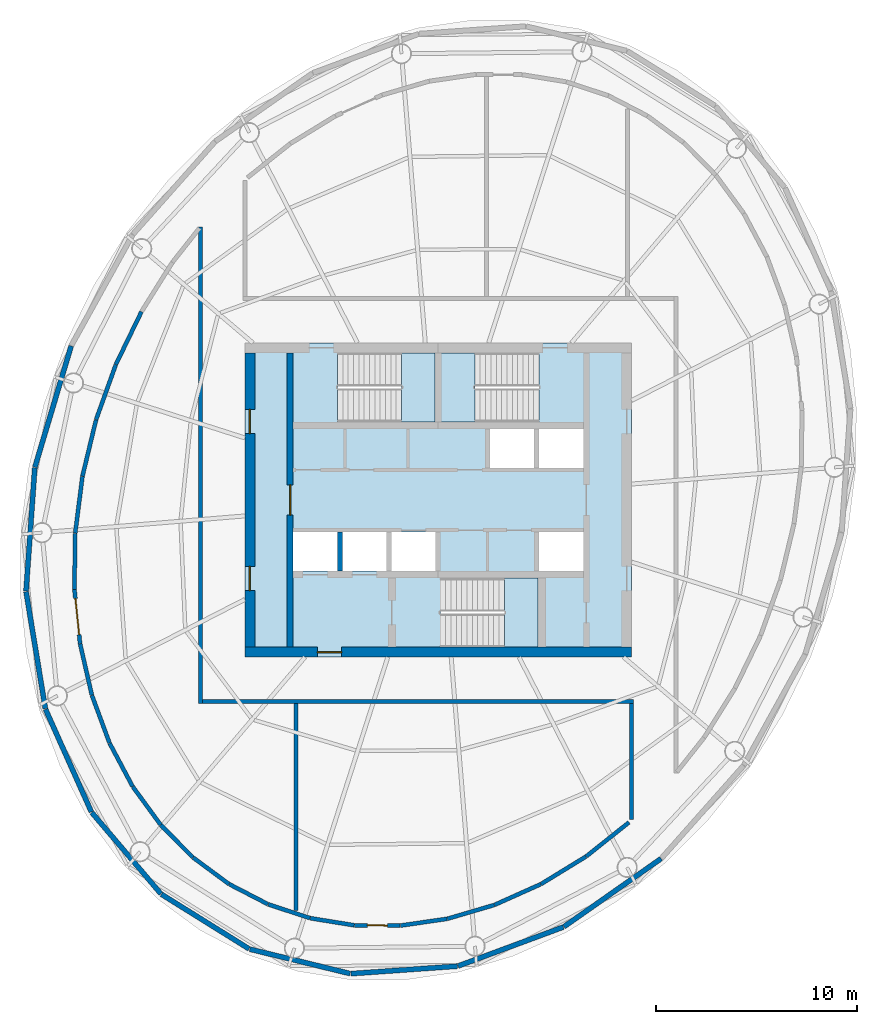
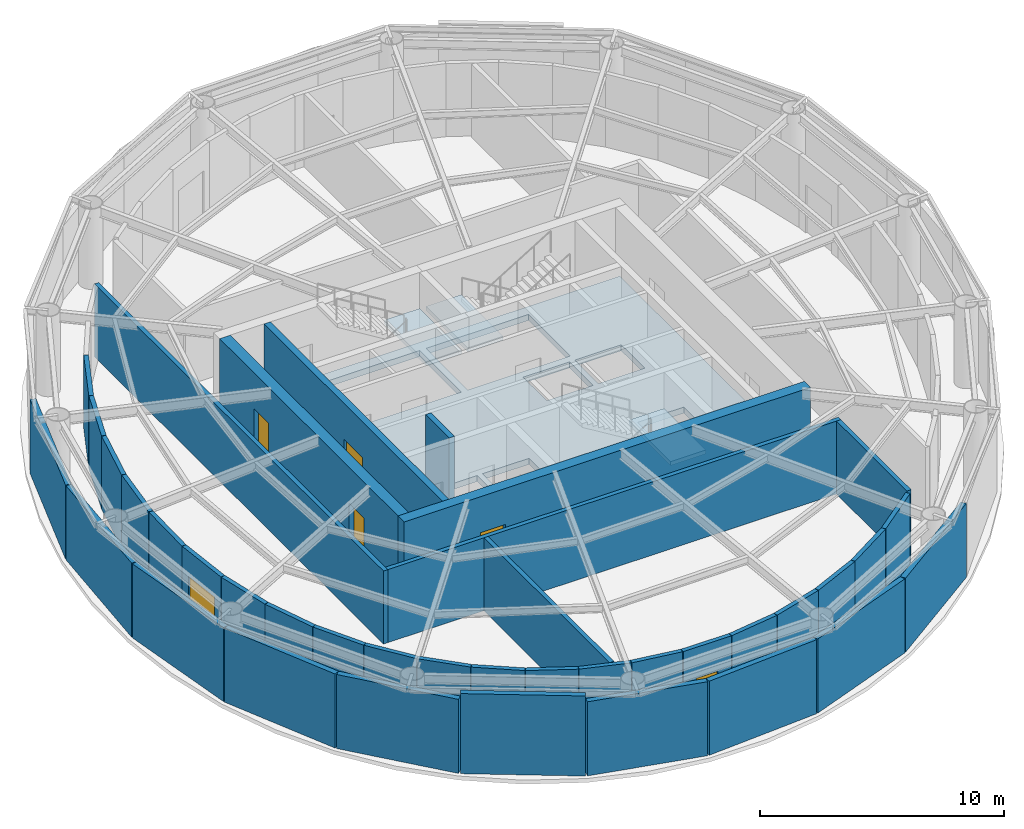
# One storey, part 3 of 6: 39 walls, 6 doors, 4 slabs, 6 openings, 3 elements without a shape of their own.
"""IFC4 building model written with IfcOpenShell, lengths in metres."""

from ifc_helpers import new_model, si_unit, direction, frame, frame_2d, origin, place, context, subcontext, project, spatial, polyline, rectangle, outline, extrude, material, layer, layer_set, type_object, element, fill, aggregate, save


model = new_model("IFC4")

# Units and contexts
model_context = context("Model", 3, precision=1e-05, world=origin(), true_north=direction((0.0, 1.0)))
body_context = subcontext(model_context, "Body", "Model", "MODEL_VIEW")
ifc_project = project(units=[si_unit("LENGTHUNIT", "METRE"), si_unit("AREAUNIT", "SQUARE_METRE"), si_unit("VOLUMEUNIT", "CUBIC_METRE"), si_unit("PLANEANGLEUNIT", "RADIAN"), si_unit("MASSUNIT", "GRAM", prefix="KILO")], contexts=[model_context])

# Site, building, storey
site_placement = place(None, origin())
site = spatial("IfcSite", under=ifc_project, at=site_placement, CompositionType="ELEMENT")
building_placement = place(site_placement, origin())
building = spatial("IfcBuilding", under=site, at=building_placement, Name="Vermilion Reach Broadcast Tower", CompositionType="ELEMENT")
storey_placement = place(building_placement, frame((0.0, 0.0, 304.5)))
storey = spatial("IfcBuildingStorey", under=building, at=storey_placement, Name="L76 CROWN", CompositionType="ELEMENT", Elevation=304.5)

# Slab
ifc_material_1 = material(Name="Concrete C40", Category="concrete")
ifc_layer_1 = layer(ifc_material_1, 0.300048828125)
ifc_layer_set_1 = layer_set([ifc_layer_1], Name="Core floor slab 300 mm Concrete C40")
slab_type_1 = type_object("IfcSlabType", Name="Core floor slab 300 mm Concrete C40", PredefinedType="FLOOR", material=ifc_layer_set_1)
slab_1_placement = place(storey_placement, frame((0.0, 0.0, -0.300048828125)))
element("IfcSlab", 1, at=slab_1_placement, inside=storey, type_object=slab_type_1, Name="L76 CROWN core floor", PredefinedType="FLOOR", context=body_context, shape_type="SweptSolid", body=[
    extrude(outline(polyline([(-15.60009765625, -7.800048828125), (3.60009765625, -7.800048828125), (3.60009765625, 7.800048828125), (-15.60009765625, 7.800048828125), (-15.60009765625, -7.800048828125)]), holes=[polyline([(-3.433349609375, 1.60009765625), (-1.24169921875, 1.60009765625), (-1.24169921875, 3.530029296875), (-3.433349609375, 3.530029296875), (-3.433349609375, 1.60009765625)]), polyline([(-0.99169921875, 1.60009765625), (1.199951171875, 1.60009765625), (1.199951171875, 3.530029296875), (-0.99169921875, 3.530029296875), (-0.99169921875, 1.60009765625)]), polyline([(-13.199951171875, -3.530029296875), (-11.00830078125, -3.530029296875), (-11.00830078125, -1.60009765625), (-13.199951171875, -1.60009765625), (-13.199951171875, -3.530029296875)]), polyline([(-10.75830078125, -3.530029296875), (-8.566650390625, -3.530029296875), (-8.566650390625, -1.60009765625), (-10.75830078125, -1.60009765625), (-10.75830078125, -3.530029296875)]), polyline([(-8.316650390625, -3.530029296875), (-6.125, -3.530029296875), (-6.125, -1.60009765625), (-8.316650390625, -1.60009765625), (-8.316650390625, -3.530029296875)]), polyline([(-0.99169921875, -3.530029296875), (1.199951171875, -3.530029296875), (1.199951171875, -1.60009765625), (-0.99169921875, -1.60009765625), (-0.99169921875, -3.530029296875)]), polyline([(-10.999267578125, 3.8798828125), (-6.14990234375, 3.8798828125), (-6.14990234375, 7.300048828125), (-10.999267578125, 7.300048828125), (-10.999267578125, 3.8798828125)]), polyline([(-1.000732421875, 7.300048828125), (-5.85009765625, 7.300048828125), (-5.85009765625, 3.8798828125), (-1.000732421875, 3.8798828125), (-1.000732421875, 7.300048828125)]), polyline([(-5.8994140625, -7.300048828125), (-1.050048828125, -7.300048828125), (-1.050048828125, -3.8798828125), (-5.8994140625, -3.8798828125), (-5.8994140625, -7.300048828125)])]), origin(), (0.0, 0.0, 1.0), 0.300048828125),
])

# Stair, slab
ifc_material_2 = material(Name="Concrete C40", Category="concrete")
stair_type = type_object("IfcStairType", Name="Exit stair RC 26 risers 162 mm", PredefinedType="HALF_TURN_STAIR", material=ifc_material_2)
placement_1 = place(storey_placement, origin())
stair_1 = element("IfcStair", 2, at=placement_1, inside=storey, type_object=stair_type, Name="L76 CROWN Exit stair ST1", PredefinedType="HALF_TURN_STAIR")
ifc_material_3 = material(Name="Concrete C40", Category="concrete")
ifc_layer_2 = layer(ifc_material_3, 0.199951171875)
ifc_layer_set_2 = layer_set([ifc_layer_2], Name="Exit stair landing Concrete C40")
slab_type_2 = type_object("IfcSlabType", Name="Exit stair landing Concrete C40", PredefinedType="LANDING", material=ifc_layer_set_2)
placement_2 = place(storey_placement, frame((0.0, 0.0, 1.89990234375)))
slab_2 = element("IfcSlab", 3, at=placement_2, type_object=slab_type_2, Name="ST1 landing 1", PredefinedType="LANDING", context=body_context, shape_type="SweptSolid", body=[
    extrude(outline(polyline([(-7.820068359375, 3.8798828125), (-6.14990234375, 3.8798828125), (-6.14990234375, 7.300048828125), (-7.820068359375, 7.300048828125), (-7.820068359375, 3.8798828125)])), origin(), (0.0, 0.0, 1.0), 0.2001953125),
])
aggregate(stair_1, [slab_2])

stair_2 = element("IfcStair", 4, at=placement_1, inside=storey, type_object=stair_type, Name="L76 CROWN Exit stair ST2", PredefinedType="HALF_TURN_STAIR")
slab_3 = element("IfcSlab", 5, at=placement_2, type_object=slab_type_2, Name="ST2 landing 1", PredefinedType="LANDING", context=body_context, shape_type="SweptSolid", body=[
    extrude(outline(polyline([(-4.179931640625, 7.300048828125), (-5.85009765625, 7.300048828125), (-5.85009765625, 3.8798828125), (-4.179931640625, 3.8798828125), (-4.179931640625, 7.300048828125)])), origin(), (0.0, 0.0, 1.0), 0.2001953125),
])
aggregate(stair_2, [slab_3])

stair_3 = element("IfcStair", 6, at=placement_1, inside=storey, type_object=stair_type, Name="L76 CROWN Exit stair ST3", PredefinedType="HALF_TURN_STAIR")
slab_4 = element("IfcSlab", 7, at=placement_2, type_object=slab_type_2, Name="ST3 landing 1", PredefinedType="LANDING", context=body_context, shape_type="SweptSolid", body=[
    extrude(outline(polyline([(-2.719970703125, -7.300048828125), (-1.050048828125, -7.300048828125), (-1.050048828125, -3.8798828125), (-2.719970703125, -3.8798828125), (-2.719970703125, -7.300048828125)])), origin(), (0.0, 0.0, 1.0), 0.2001953125),
])
aggregate(stair_3, [slab_4])

# Wall, opening, door
ifc_material_4 = material(Name="Concrete C50", Category="concrete")
ifc_layer_3 = layer(ifc_material_4, 0.300048828125)
ifc_layer_set_3 = layer_set([ifc_layer_3], Name="Core inner wall 300 mm Concrete C50")
wall_type_1 = type_object("IfcWallType", Name="Core inner wall 300 mm Concrete C50", PredefinedType="SHEAR", material=ifc_layer_set_3)
wall_1_placement = place(storey_placement, frame((-13.35009765625, 7.300048828125, 0.0), z_axis=(0.0, 0.0, 1.0), x_axis=(0.0, -1.0, 0.0)))
wall_1 = element("IfcWall", 8, at=wall_1_placement, inside=storey, type_object=wall_type_1, Name="L76 CROWN core wall ewW", PredefinedType="SHEAR", context=body_context, shape_type="SweptSolid", body=[
    extrude(rectangle(XDim=14.60009765625, YDim=0.300048828125, at=frame_2d((7.300048828125, 0.0))), origin(), (0.0, 0.0, 1.0), 3.89990234375),
])
opening_1_placement = place(wall_1_placement, frame((6.550048828125, 0.0, 0.0)))
opening_1 = element("IfcOpeningElement", 9, at=opening_1_placement, cuts=wall_1, Name="Opening D04", PredefinedType="OPENING", context=body_context, shape_type="SweptSolid", body=[
    extrude(rectangle(XDim=1.5, YDim=2.10009765625, at=frame_2d((0.75, 1.050048828125))), frame((0.0, 0.159912109375, 0.0), z_axis=(0.0, -1.0, 0.0), x_axis=(1.0, 0.0, 0.0)), (0.0, 0.0, 1.0), 0.320068359375),
])
ifc_material_5 = material(Name="Painted steel fire door", Category="steel")
door_type_1 = type_object("IfcDoorType", Name="Lift lobby door 1500 x 2100", OperationType="DOUBLE_DOOR_SINGLE_SWING", PredefinedType="NOTDEFINED", material=ifc_material_5)
door_1_placement = place(opening_1_placement, origin())
door_1 = element("IfcDoor", 10, at=door_1_placement, inside=storey, type_object=door_type_1, Name="L76 CROWN band door BW", OperationType="DOUBLE_DOOR_SINGLE_SWING", OverallHeight=2.10009765625, OverallWidth=1.5, PredefinedType="NOTDEFINED", context=body_context, shape_type="SweptSolid", body=[
    extrude(rectangle(XDim=1.5, YDim=2.10009765625, at=frame_2d((0.75, 1.050048828125))), frame((0.0, 0.02490234375, 0.0), z_axis=(0.0, -1.0, 0.0), x_axis=(1.0, 0.0, 0.0)), (0.0, 0.0, 1.0), 0.050048828125),
])
fill(opening_1, door_1)

ifc_material_6 = material(Name="Concrete C50", Category="concrete")
ifc_layer_4 = layer(ifc_material_6, 0.5)
ifc_layer_set_4 = layer_set([ifc_layer_4], Name="Core outer wall 500 mm Concrete C50")
wall_type_2 = type_object("IfcWallType", Name="Core outer wall 500 mm Concrete C50", PredefinedType="SHEAR", material=ifc_layer_set_4)
wall_2_placement = place(storey_placement, frame((-15.60009765625, -7.550048828125, 0.0), z_axis=(0.0, 0.0, 1.0), x_axis=(1.0, 0.0, 0.0)))
wall_2 = element("IfcWall", 11, at=wall_2_placement, inside=storey, type_object=wall_type_2, Name="L76 CROWN core wall os", PredefinedType="SHEAR", context=body_context, shape_type="SweptSolid", body=[
    extrude(rectangle(XDim=19.2001953125, YDim=0.5, at=frame_2d((9.60009765625, 0.0))), origin(), (0.0, 0.0, 1.0), 3.89990234375),
])
opening_2_placement = place(wall_2_placement, frame((3.60009765625, 0.0, 0.0)))
opening_2 = element("IfcOpeningElement", 12, at=opening_2_placement, cuts=wall_2, Name="Opening D02", PredefinedType="OPENING", context=body_context, shape_type="SweptSolid", body=[
    extrude(rectangle(XDim=1.199951171875, YDim=2.10009765625, at=frame_2d((0.60009765625, 1.050048828125))), frame((0.0, 0.260009765625, 0.0), z_axis=(0.0, -1.0, 0.0), x_axis=(1.0, 0.0, 0.0)), (0.0, 0.0, 1.0), 0.52001953125),
])
ifc_material_7 = material(Name="Painted steel fire door", Category="steel")
door_type_2 = type_object("IfcDoorType", Name="Firefighting lobby door 1200 x 2100", OperationType="DOUBLE_DOOR_SINGLE_SWING", PredefinedType="NOTDEFINED", material=ifc_material_7)
door_2_placement = place(opening_2_placement, origin())
door_2 = element("IfcDoor", 13, at=door_2_placement, inside=storey, type_object=door_type_2, Name="L76 CROWN ffdoor door FFL", OperationType="DOUBLE_DOOR_SINGLE_SWING", OverallHeight=2.10009765625, OverallWidth=1.199951171875, PredefinedType="NOTDEFINED", context=body_context, shape_type="SweptSolid", body=[
    extrude(rectangle(XDim=1.199951171875, YDim=2.10009765625, at=frame_2d((0.60009765625, 1.050048828125))), frame((0.0, 0.02490234375, 0.0), z_axis=(0.0, -1.0, 0.0), x_axis=(1.0, 0.0, 0.0)), (0.0, 0.0, 1.0), 0.050048828125),
])
fill(opening_2, door_2)

# Wall, openings, doors
wall_3_placement = place(storey_placement, frame((-15.35009765625, 7.300048828125, 0.0), z_axis=(0.0, 0.0, 1.0), x_axis=(0.0, -1.0, 0.0)))
wall_3 = element("IfcWall", 14, at=wall_3_placement, inside=storey, type_object=wall_type_2, Name="L76 CROWN core wall ow", PredefinedType="SHEAR", context=body_context, shape_type="SweptSolid", body=[
    extrude(rectangle(XDim=14.60009765625, YDim=0.5, at=frame_2d((7.300048828125, 0.0))), origin(), (0.0, 0.0, 1.0), 3.89990234375),
])
opening_3_placement = place(wall_3_placement, frame((10.60009765625, 0.0, 0.0)))
opening_3 = element("IfcOpeningElement", 15, at=opening_3_placement, cuts=wall_3, Name="Opening D03", PredefinedType="OPENING", context=body_context, shape_type="SweptSolid", body=[
    extrude(rectangle(XDim=1.199951171875, YDim=2.10009765625, at=frame_2d((0.60009765625, 1.050048828125))), frame((0.0, 0.260009765625, 0.0), z_axis=(0.0, -1.0, 0.0), x_axis=(1.0, 0.0, 0.0)), (0.0, 0.0, 1.0), 0.52001953125),
])
opening_4_placement = place(wall_3_placement, frame((2.800048828125, 0.0, 0.0)))
opening_4 = element("IfcOpeningElement", 16, at=opening_4_placement, cuts=wall_3, Name="Opening D03", PredefinedType="OPENING", context=body_context, shape_type="SweptSolid", body=[
    extrude(rectangle(XDim=1.199951171875, YDim=2.10009765625, at=frame_2d((0.60009765625, 1.050048828125))), frame((0.0, 0.260009765625, 0.0), z_axis=(0.0, -1.0, 0.0), x_axis=(1.0, 0.0, 0.0)), (0.0, 0.0, 1.0), 0.52001953125),
])
ifc_material_8 = material(Name="Painted steel fire door", Category="steel")
door_type_3 = type_object("IfcDoorType", Name="Core lobby door 1200 x 2100", OperationType="DOUBLE_DOOR_SINGLE_SWING", PredefinedType="NOTDEFINED", material=ifc_material_8)
door_3_placement = place(opening_3_placement, origin())
door_3 = element("IfcDoor", 17, at=door_3_placement, inside=storey, type_object=door_type_3, Name="L76 CROWN slot door W0", OperationType="DOUBLE_DOOR_SINGLE_SWING", OverallHeight=2.10009765625, OverallWidth=1.199951171875, PredefinedType="NOTDEFINED", context=body_context, shape_type="SweptSolid", body=[
    extrude(rectangle(XDim=1.199951171875, YDim=2.10009765625, at=frame_2d((0.60009765625, 1.050048828125))), frame((0.0, 0.02490234375, 0.0), z_axis=(0.0, -1.0, 0.0), x_axis=(1.0, 0.0, 0.0)), (0.0, 0.0, 1.0), 0.050048828125),
])
fill(opening_3, door_3)
door_4_placement = place(opening_4_placement, origin())
door_4 = element("IfcDoor", 18, at=door_4_placement, inside=storey, type_object=door_type_3, Name="L76 CROWN slot door W1", OperationType="DOUBLE_DOOR_SINGLE_SWING", OverallHeight=2.10009765625, OverallWidth=1.199951171875, PredefinedType="NOTDEFINED", context=body_context, shape_type="SweptSolid", body=[
    extrude(rectangle(XDim=1.199951171875, YDim=2.10009765625, at=frame_2d((0.60009765625, 1.050048828125))), frame((0.0, 0.02490234375, 0.0), z_axis=(0.0, -1.0, 0.0), x_axis=(1.0, 0.0, 0.0)), (0.0, 0.0, 1.0), 0.050048828125),
])
fill(opening_4, door_4)

# Walls
ifc_material_9 = material(Name="Concrete C50", Category="concrete")
ifc_layer_5 = layer(ifc_material_9, 0.25)
ifc_layer_set_5 = layer_set([ifc_layer_5], Name="Core shaft wall 250 mm Concrete C50")
wall_type_3 = type_object("IfcWallType", Name="Core shaft wall 250 mm Concrete C50", PredefinedType="SHEAR", material=ifc_layer_set_5)
wall_4_placement = place(storey_placement, frame((-10.88330078125, -1.60009765625, 0.0), z_axis=(0.0, 0.0, 1.0), x_axis=(0.0, -1.0, 0.0)))
element("IfcWall", 19, at=wall_4_placement, inside=storey, type_object=wall_type_3, Name="L76 CROWN core wall psS0", PredefinedType="SHEAR", context=body_context, shape_type="SweptSolid", body=[
    extrude(rectangle(XDim=1.929931640625, YDim=0.25, at=frame_2d((0.96484375, 0.0))), origin(), (0.0, 0.0, 1.0), 3.89990234375),
])
ifc_material_10 = material(Name="Anodised aluminium louvre cladding", Category="aluminium")
ifc_layer_6 = layer(ifc_material_10, 0.25)
ifc_layer_set_6 = layer_set([ifc_layer_6], Name="Plant louvre wall 250")
wall_type_4 = type_object("IfcWallType", Name="Plant louvre wall 250", PredefinedType="SOLIDWALL", material=ifc_layer_set_6)
wall_5_placement = place(storey_placement, frame((-19.736572265625, -19.56982421875, 0.0), z_axis=(0.0, 0.0, 1.0), x_axis=(0.84872546146, -0.528833708333, 0.0)))
element("IfcWall", 20, at=wall_5_placement, inside=storey, type_object=wall_type_4, Name="Louvre wall L76 CROWN 12", PredefinedType="SOLIDWALL", context=body_context, shape_type="SweptSolid", body=[
    extrude(rectangle(XDim=5.124755859375, YDim=0.25, at=frame_2d((2.5625, 0.0))), origin(), (0.0, 0.0, 1.0), 4.0),
])
ifc_material_11 = material(Name="Anodised aluminium louvre cladding", Category="aluminium")
ifc_layer_7 = layer(ifc_material_11, 0.25)
ifc_layer_set_7 = layer_set([ifc_layer_7], Name="Plant louvre wall 250, head 300 below soffit")
wall_type_5 = type_object("IfcWallType", Name="Plant louvre wall 250, head 300 below soffit", PredefinedType="SOLIDWALL", material=ifc_layer_set_7)
wall_6_placement = place(storey_placement, frame((-24.2197265625, 7.64453125, 0.0), z_axis=(0.0, 0.0, 1.0), x_axis=(-0.286431283473, -0.958100787938, 0.0)))
element("IfcWall", 21, at=wall_6_placement, inside=storey, type_object=wall_type_5, Name="Louvre wall L76 CROWN 07", PredefinedType="SOLIDWALL", context=body_context, shape_type="SweptSolid", body=[
    extrude(rectangle(XDim=6.281005859375, YDim=0.25, at=frame_2d((3.140625, 0.0))), origin(), (0.0, 0.0, 1.0), 3.699951171875),
])
wall_7_placement = place(storey_placement, frame((-26.023681640625, 1.60009765625, 0.0), z_axis=(0.0, 0.0, 1.0), x_axis=(-0.07066487406, -0.99750011307, 0.0)))
element("IfcWall", 22, at=wall_7_placement, inside=storey, type_object=wall_type_5, Name="Louvre wall L76 CROWN 08", PredefinedType="SOLIDWALL", context=body_context, shape_type="SweptSolid", body=[
    extrude(rectangle(XDim=6.139404296875, YDim=0.25, at=frame_2d((3.06982421875, 0.0))), origin(), (0.0, 0.0, 1.0), 3.699951171875),
])
wall_8_placement = place(storey_placement, frame((-26.4560546875, -4.552734375, 0.0), z_axis=(0.0, 0.0, 1.0), x_axis=(0.162616041589, -0.986689425816, 0.0)))
element("IfcWall", 23, at=wall_8_placement, inside=storey, type_object=wall_type_5, Name="Louvre wall L76 CROWN 09", PredefinedType="SOLIDWALL", context=body_context, shape_type="SweptSolid", body=[
    extrude(rectangle(XDim=5.88525390625, YDim=0.25, at=frame_2d((2.942626953125, 0.0))), origin(), (0.0, 0.0, 1.0), 3.699951171875),
])
wall_9_placement = place(storey_placement, frame((-25.489990234375, -10.389892578125, 0.0), z_axis=(0.0, 0.0, 1.0), x_axis=(0.407989751163, -0.912986507538, 0.0)))
element("IfcWall", 24, at=wall_9_placement, inside=storey, type_object=wall_type_5, Name="Louvre wall L76 CROWN 10", PredefinedType="SOLIDWALL", context=body_context, shape_type="SweptSolid", body=[
    extrude(rectangle(XDim=5.5771484375, YDim=0.25, at=frame_2d((2.78857421875, 0.0))), origin(), (0.0, 0.0, 1.0), 3.699951171875),
])
wall_10_placement = place(storey_placement, frame((-23.196044921875, -15.511474609375, 0.0), z_axis=(0.0, 0.0, 1.0), x_axis=(0.647893308308, -0.761731094973, 0.0)))
element("IfcWall", 25, at=wall_10_placement, inside=storey, type_object=wall_type_5, Name="Louvre wall L76 CROWN 11", PredefinedType="SOLIDWALL", context=body_context, shape_type="SweptSolid", body=[
    extrude(rectangle(XDim=5.295166015625, YDim=0.25, at=frame_2d((2.6474609375, 0.0))), origin(), (0.0, 0.0, 1.0), 3.699951171875),
])
wall_11_placement = place(storey_placement, frame((-15.350830078125, -22.29541015625, 0.0), z_axis=(0.0, 0.0, 1.0), x_axis=(0.971672333914, -0.236332129654, 0.0)))
element("IfcWall", 26, at=wall_11_placement, inside=storey, type_object=wall_type_5, Name="Louvre wall L76 CROWN 13", PredefinedType="SOLIDWALL", context=body_context, shape_type="SweptSolid", body=[
    extrude(rectangle(XDim=5.125, YDim=0.25, at=frame_2d((2.5625, 0.0))), origin(), (0.0, 0.0, 1.0), 3.699951171875),
])
wall_12_placement = place(storey_placement, frame((-10.333251953125, -23.509765625, 0.0), z_axis=(0.0, 0.0, 1.0), x_axis=(0.997541335578, 0.070080552324, 0.0)))
element("IfcWall", 27, at=wall_12_placement, inside=storey, type_object=wall_type_5, Name="Louvre wall L76 CROWN 14", PredefinedType="SOLIDWALL", context=body_context, shape_type="SweptSolid", body=[
    extrude(rectangle(XDim=5.295166015625, YDim=0.25, at=frame_2d((2.6474609375, 0.0))), origin(), (0.0, 0.0, 1.0), 3.699951171875),
])
wall_13_placement = place(storey_placement, frame((-5.016845703125, -23.13134765625, 0.0), z_axis=(0.0, 0.0, 1.0), x_axis=(0.937764073403, 0.34727300879, 0.0)))
element("IfcWall", 28, at=wall_13_placement, inside=storey, type_object=wall_type_5, Name="Louvre wall L76 CROWN 15", PredefinedType="SOLIDWALL", context=body_context, shape_type="SweptSolid", body=[
    extrude(rectangle(XDim=5.5771484375, YDim=0.25, at=frame_2d((2.78857421875, 0.0))), origin(), (0.0, 0.0, 1.0), 3.699951171875),
])
wall_14_placement = place(storey_placement, frame((0.2412109375, -21.1796875, 0.0), z_axis=(0.0, 0.0, 1.0), x_axis=(0.818761962214, 0.574133128492, 0.0)))
element("IfcWall", 29, at=wall_14_placement, inside=storey, type_object=wall_type_5, Name="Louvre wall L76 CROWN 16", PredefinedType="SOLIDWALL", context=body_context, shape_type="SweptSolid", body=[
    extrude(rectangle(XDim=5.88525390625, YDim=0.25, at=frame_2d((2.942626953125, 0.0))), origin(), (0.0, 0.0, 1.0), 3.699951171875),
])
ifc_material_12 = material(Name="Gypsum board shaft wall")
ifc_layer_8 = layer(ifc_material_12, 0.199951171875)
ifc_layer_set_8 = layer_set([ifc_layer_8], Name="Plant room wall 200")
wall_type_6 = type_object("IfcWallType", Name="Plant room wall 200", PredefinedType="PARTITIONING", material=ifc_layer_set_8)
wall_15_placement = place(storey_placement, frame((-17.800048828125, -10.10009765625, 0.0), z_axis=(0.0, 0.0, 1.0), x_axis=(0.0, 1.0, 0.0)))
element("IfcWall", 30, at=wall_15_placement, inside=storey, type_object=wall_type_6, Name="sp.wall.L76 CROWN.002", PredefinedType="PARTITIONING", context=body_context, shape_type="SweptSolid", body=[
    extrude(rectangle(XDim=23.65771484375, YDim=0.199951171875, at=frame_2d((11.828857421875, 0.0))), origin(), (0.0, 0.0, 1.0), 3.64990234375),
])
wall_16_placement = place(storey_placement, frame((-17.699951171875, -10.0, 0.0), z_axis=(0.0, 0.0, 1.0), x_axis=(1.0, 0.0, 0.0)))
element("IfcWall", 31, at=wall_16_placement, inside=storey, type_object=wall_type_6, Name="sp.wall.L76 CROWN.003", PredefinedType="PARTITIONING", context=body_context, shape_type="SweptSolid", body=[
    extrude(rectangle(XDim=21.400146484375, YDim=0.199951171875, at=frame_2d((10.7001953125, 0.0))), origin(), (0.0, 0.0, 1.0), 3.64990234375),
])
wall_17_placement = place(storey_placement, frame((3.60009765625, -15.867431640625, 0.0), z_axis=(0.0, 0.0, 1.0), x_axis=(0.0, 1.0, 0.0)))
element("IfcWall", 32, at=wall_17_placement, inside=storey, type_object=wall_type_6, Name="sp.wall.L76 CROWN.005", PredefinedType="PARTITIONING", context=body_context, shape_type="SweptSolid", body=[
    extrude(rectangle(XDim=5.767333984375, YDim=0.199951171875, at=frame_2d((2.8837890625, 0.0))), origin(), (0.0, 0.0, 1.0), 3.64990234375),
])
wall_18_placement = place(storey_placement, frame((-13.056396484375, -20.38671875, 0.0), z_axis=(0.0, 0.0, 1.0), x_axis=(0.0, 1.0, 0.0)))
element("IfcWall", 33, at=wall_18_placement, inside=storey, type_object=wall_type_6, Name="sp.wall.L76 CROWN.031", PredefinedType="PARTITIONING", context=body_context, shape_type="SweptSolid", body=[
    extrude(rectangle(XDim=10.28662109375, YDim=0.199951171875, at=frame_2d((5.143310546875, 0.0))), origin(), (0.0, 0.0, 1.0), 3.64990234375),
])
wall_19_placement = place(storey_placement, frame((-16.373291015625, -19.067626953125, 0.0), z_axis=(0.0, 0.0, 1.0), x_axis=(0.888068415533, -0.45971131086, 0.0)))
element("IfcWall", 34, at=wall_19_placement, inside=storey, type_object=wall_type_6, Name="sp.wall.L76 CROWN.032", PredefinedType="PARTITIONING", context=body_context, shape_type="SweptSolid", body=[
    extrude(rectangle(XDim=2.16455078125, YDim=0.199951171875, at=frame_2d((1.082275390625, 0.0))), origin(), (0.0, 0.0, 1.0), 3.64990234375),
])
wall_20_placement = place(storey_placement, frame((-18.164794921875, -17.747802734375, 0.0), z_axis=(0.0, 0.0, 1.0), x_axis=(0.80443326696, -0.594043027909, 0.0)))
element("IfcWall", 35, at=wall_20_placement, inside=storey, type_object=wall_type_6, Name="sp.wall.L76 CROWN.033", PredefinedType="PARTITIONING", context=body_context, shape_type="SweptSolid", body=[
    extrude(rectangle(XDim=2.20947265625, YDim=0.199951171875, at=frame_2d((1.104736328125, 0.0))), origin(), (0.0, 0.0, 1.0), 3.64990234375),
])
wall_21_placement = place(storey_placement, frame((-19.76953125, -16.12939453125, 0.0), z_axis=(0.0, 0.0, 1.0), x_axis=(0.703376280453, -0.710817703843, 0.0)))
element("IfcWall", 36, at=wall_21_placement, inside=storey, type_object=wall_type_6, Name="sp.wall.L76 CROWN.034", PredefinedType="PARTITIONING", context=body_context, shape_type="SweptSolid", body=[
    extrude(rectangle(XDim=2.263671875, YDim=0.199951171875, at=frame_2d((1.1318359375, 0.0))), origin(), (0.0, 0.0, 1.0), 3.64990234375),
])
wall_22_placement = place(storey_placement, frame((-21.159912109375, -14.230712890625, 0.0), z_axis=(0.0, 0.0, 1.0), x_axis=(0.590082027637, -0.807343297897, 0.0)))
element("IfcWall", 37, at=wall_22_placement, inside=storey, type_object=wall_type_6, Name="sp.wall.L76 CROWN.035", PredefinedType="PARTITIONING", context=body_context, shape_type="SweptSolid", body=[
    extrude(rectangle(XDim=2.33837890625, YDim=0.199951171875, at=frame_2d((1.169189453125, 0.0))), origin(), (0.0, 0.0, 1.0), 3.64990234375),
])
wall_23_placement = place(storey_placement, frame((-22.3076171875, -12.0771484375, 0.0), z_axis=(0.0, 0.0, 1.0), x_axis=(0.469611304199, -0.882873276846, 0.0)))
element("IfcWall", 38, at=wall_23_placement, inside=storey, type_object=wall_type_6, Name="sp.wall.L76 CROWN.036", PredefinedType="PARTITIONING", context=body_context, shape_type="SweptSolid", body=[
    extrude(rectangle(XDim=2.42626953125, YDim=0.199951171875, at=frame_2d((1.213134765625, 0.0))), origin(), (0.0, 0.0, 1.0), 3.64990234375),
])
wall_24_placement = place(storey_placement, frame((-23.1865234375, -9.70068359375, 0.0), z_axis=(0.0, 0.0, 1.0), x_axis=(0.34620358582, -0.938159409251, 0.0)))
element("IfcWall", 39, at=wall_24_placement, inside=storey, type_object=wall_type_6, Name="sp.wall.L76 CROWN.037", PredefinedType="PARTITIONING", context=body_context, shape_type="SweptSolid", body=[
    extrude(rectangle(XDim=2.520263671875, YDim=0.199951171875, at=frame_2d((1.26025390625, 0.0))), origin(), (0.0, 0.0, 1.0), 3.64990234375),
])
wall_25_placement = place(storey_placement, frame((-23.774658203125, -7.140869140625, 0.0), z_axis=(0.0, 0.0, 1.0), x_axis=(0.223324390074, -0.974744180182, 0.0)))
element("IfcWall", 40, at=wall_25_placement, inside=storey, type_object=wall_type_6, Name="sp.wall.L76 CROWN.038", PredefinedType="PARTITIONING", context=body_context, shape_type="SweptSolid", body=[
    extrude(rectangle(XDim=2.61376953125, YDim=0.199951171875, at=frame_2d((1.306884765625, 0.0))), origin(), (0.0, 0.0, 1.0), 3.64990234375),
])

# Wall, opening, door
wall_26_placement = place(storey_placement, frame((-23.77734375, -7.12890625, 0.0), z_axis=(0.0, 0.0, 1.0), x_axis=(-0.102877560919, 0.994694027055, 0.0)))
wall_26 = element("IfcWall", 41, at=wall_26_placement, inside=storey, type_object=wall_type_6, Name="sp.wall.L76 CROWN.039", PredefinedType="PARTITIONING", context=body_context, shape_type="SweptSolid", body=[
    extrude(rectangle(XDim=2.70068359375, YDim=0.199951171875, at=frame_2d((1.350341796875, 0.0))), origin(), (0.0, 0.0, 1.0), 3.64990234375),
])
opening_5_placement = place(wall_26_placement, frame((0.4501953125, 0.0, 0.0)))
opening_5 = element("IfcOpeningElement", 42, at=opening_5_placement, cuts=wall_26, Name="Opening D53", PredefinedType="OPENING", context=body_context, shape_type="SweptSolid", body=[
    extrude(rectangle(XDim=1.800048828125, YDim=2.39990234375, at=frame_2d((0.89990234375, 1.199951171875))), frame((0.0, 0.10986328125, 0.0), z_axis=(0.0, -1.0, 0.0), x_axis=(1.0, 0.0, 0.0)), (0.0, 0.0, 1.0), 0.219970703125),
])
ifc_material_13 = material(Name="Timber and steel door set", Category="steel")
door_type_4 = type_object("IfcDoorType", Name="Plant double door 1800x2400", OperationType="NOTDEFINED", PredefinedType="DOOR", material=ifc_material_13)
door_5_placement = place(opening_5_placement, origin())
door_5 = element("IfcDoor", 43, at=door_5_placement, inside=storey, type_object=door_type_4, Name="sp.door.L76 CROWN.003", OperationType="DOUBLE_DOOR_SINGLE_SWING", OverallHeight=2.39990234375, OverallWidth=1.800048828125, PredefinedType="DOOR", context=body_context, shape_type="SweptSolid", body=[
    extrude(rectangle(XDim=1.800048828125, YDim=2.39990234375, at=frame_2d((0.89990234375, 1.199951171875))), frame((0.0, 0.02490234375, 0.0), z_axis=(0.0, -1.0, 0.0), x_axis=(1.0, 0.0, 0.0)), (0.0, 0.0, 1.0), 0.050048828125),
])
fill(opening_5, door_5)

# Walls
wall_27_placement = place(storey_placement, frame((-24.056396484375, -4.430908203125, 0.0), z_axis=(0.0, 0.0, 1.0), x_axis=(0.013897320686, 0.999903427576, 0.0)))
element("IfcWall", 44, at=wall_27_placement, inside=storey, type_object=wall_type_6, Name="sp.wall.L76 CROWN.040", PredefinedType="PARTITIONING", context=body_context, shape_type="SweptSolid", body=[
    extrude(rectangle(XDim=2.775634765625, YDim=0.199951171875, at=frame_2d((1.3876953125, 0.0))), origin(), (0.0, 0.0, 1.0), 3.64990234375),
])
wall_28_placement = place(storey_placement, frame((-24.017578125, -1.64404296875, 0.0), z_axis=(0.0, 0.0, 1.0), x_axis=(0.126302032537, 0.991991832919, 0.0)))
element("IfcWall", 45, at=wall_28_placement, inside=storey, type_object=wall_type_6, Name="sp.wall.L76 CROWN.041", PredefinedType="PARTITIONING", context=body_context, shape_type="SweptSolid", body=[
    extrude(rectangle(XDim=2.835693359375, YDim=0.199951171875, at=frame_2d((1.41796875, 0.0))), origin(), (0.0, 0.0, 1.0), 3.64990234375),
])
wall_29_placement = place(storey_placement, frame((-23.657958984375, 1.1796875, 0.0), z_axis=(0.0, 0.0, 1.0), x_axis=(0.234120678443, 0.972207543648, 0.0)))
element("IfcWall", 46, at=wall_29_placement, inside=storey, type_object=wall_type_6, Name="sp.wall.L76 CROWN.042", PredefinedType="PARTITIONING", context=body_context, shape_type="SweptSolid", body=[
    extrude(rectangle(XDim=2.877197265625, YDim=0.199951171875, at=frame_2d((1.4384765625, 0.0))), origin(), (0.0, 0.0, 1.0), 3.64990234375),
])
wall_30_placement = place(storey_placement, frame((-22.981689453125, 3.987548828125, 0.0), z_axis=(0.0, 0.0, 1.0), x_axis=(0.337478197562, 0.941333344873, 0.0)))
element("IfcWall", 47, at=wall_30_placement, inside=storey, type_object=wall_type_6, Name="sp.wall.L76 CROWN.043", PredefinedType="PARTITIONING", context=body_context, shape_type="SweptSolid", body=[
    extrude(rectangle(XDim=2.89794921875, YDim=0.199951171875, at=frame_2d((1.448974609375, 0.0))), origin(), (0.0, 0.0, 1.0), 3.64990234375),
])
wall_31_placement = place(storey_placement, frame((-22.0, 6.725830078125, 0.0), z_axis=(0.0, 0.0, 1.0), x_axis=(0.436405284506, 0.89975020292, 0.0)))
element("IfcWall", 48, at=wall_31_placement, inside=storey, type_object=wall_type_6, Name="sp.wall.L76 CROWN.044", PredefinedType="PARTITIONING", context=body_context, shape_type="SweptSolid", body=[
    extrude(rectangle(XDim=2.9091796875, YDim=0.199951171875, at=frame_2d((1.45458984375, 0.0))), origin(), (0.0, 0.0, 1.0), 3.64990234375),
])
wall_32_placement = place(storey_placement, frame((-14.436767578125, -20.0703125, 0.0), z_axis=(0.0, 0.0, 1.0), x_axis=(0.949852302688, -0.312698901627, 0.0)))
element("IfcWall", 49, at=wall_32_placement, inside=storey, type_object=wall_type_6, Name="sp.wall.L76 CROWN.047", PredefinedType="PARTITIONING", context=body_context, shape_type="SweptSolid", body=[
    extrude(rectangle(XDim=2.1806640625, YDim=0.199951171875, at=frame_2d((1.09033203125, 0.0))), origin(), (0.0, 0.0, 1.0), 3.64990234375),
])
wall_33_placement = place(storey_placement, frame((-0.894287109375, -19.061279296875, 0.0), z_axis=(0.0, 0.0, 1.0), x_axis=(0.852667029926, 0.522454721557, 0.0)))
element("IfcWall", 50, at=wall_33_placement, inside=storey, type_object=wall_type_6, Name="sp.wall.L76 CROWN.048", PredefinedType="PARTITIONING", context=body_context, shape_type="SweptSolid", body=[
    extrude(rectangle(XDim=2.613525390625, YDim=0.199951171875, at=frame_2d((1.306640625, 0.0))), origin(), (0.0, 0.0, 1.0), 3.64990234375),
])
wall_34_placement = place(storey_placement, frame((-3.2060546875, -20.097412109375, 0.0), z_axis=(0.0, 0.0, 1.0), x_axis=(0.912552955942, 0.408958558538, 0.0)))
element("IfcWall", 51, at=wall_34_placement, inside=storey, type_object=wall_type_6, Name="sp.wall.L76 CROWN.049", PredefinedType="PARTITIONING", context=body_context, shape_type="SweptSolid", body=[
    extrude(rectangle(XDim=2.5205078125, YDim=0.199951171875, at=frame_2d((1.26025390625, 0.0))), origin(), (0.0, 0.0, 1.0), 3.64990234375),
])
wall_35_placement = place(storey_placement, frame((-5.546630859375, -20.7861328125, 0.0), z_axis=(0.0, 0.0, 1.0), x_axis=(0.95934146389, 0.28224803925, 0.0)))
element("IfcWall", 52, at=wall_35_placement, inside=storey, type_object=wall_type_6, Name="sp.wall.L76 CROWN.050", PredefinedType="PARTITIONING", context=body_context, shape_type="SweptSolid", body=[
    extrude(rectangle(XDim=2.42626953125, YDim=0.199951171875, at=frame_2d((1.213134765625, 0.0))), origin(), (0.0, 0.0, 1.0), 3.64990234375),
])
wall_36_placement = place(storey_placement, frame((-7.875, -21.123291015625, 0.0), z_axis=(0.0, 0.0, 1.0), x_axis=(0.989671979467, 0.143350525141, 0.0)))
element("IfcWall", 53, at=wall_36_placement, inside=storey, type_object=wall_type_6, Name="sp.wall.L76 CROWN.051", PredefinedType="PARTITIONING", context=body_context, shape_type="SweptSolid", body=[
    extrude(rectangle(XDim=2.33837890625, YDim=0.199951171875, at=frame_2d((1.169189453125, 0.0))), origin(), (0.0, 0.0, 1.0), 3.64990234375),
])

# Wall, opening, door
wall_37_placement = place(storey_placement, frame((-10.15380859375, -21.111328125, 0.0), z_axis=(0.0, 0.0, 1.0), x_axis=(0.999986603133, -0.005176248997, 0.0)))
wall_37 = element("IfcWall", 54, at=wall_37_placement, inside=storey, type_object=wall_type_6, Name="sp.wall.L76 CROWN.052", PredefinedType="PARTITIONING", context=body_context, shape_type="SweptSolid", body=[
    extrude(rectangle(XDim=2.263916015625, YDim=0.199951171875, at=frame_2d((1.1318359375, 0.0))), origin(), (0.0, 0.0, 1.0), 3.64990234375),
])
opening_6_placement = place(wall_37_placement, frame((0.6318359375, 0.0, 0.0)))
opening_6 = element("IfcOpeningElement", 55, at=opening_6_placement, cuts=wall_37, Name="Opening D54", PredefinedType="OPENING", context=body_context, shape_type="SweptSolid", body=[
    extrude(rectangle(XDim=1.0, YDim=2.10009765625, at=frame_2d((0.5, 1.050048828125))), frame((0.0, 0.10986328125, 0.0), z_axis=(0.0, -1.0, 0.0), x_axis=(1.0, 0.0, 0.0)), (0.0, 0.0, 1.0), 0.219970703125),
])
ifc_material_14 = material(Name="Timber and steel door set", Category="steel")
door_type_5 = type_object("IfcDoorType", Name="Fire door 1000x2100", OperationType="NOTDEFINED", PredefinedType="DOOR", material=ifc_material_14)
door_6_placement = place(opening_6_placement, origin())
door_6 = element("IfcDoor", 56, at=door_6_placement, inside=storey, type_object=door_type_5, Name="sp.door.L76 CROWN.004", OperationType="SINGLE_SWING_LEFT", OverallHeight=2.10009765625, OverallWidth=1.0, PredefinedType="DOOR", context=body_context, shape_type="SweptSolid", body=[
    extrude(rectangle(XDim=1.0, YDim=2.10009765625, at=frame_2d((0.5, 1.050048828125))), frame((0.0, 0.02490234375, 0.0), z_axis=(0.0, -1.0, 0.0), x_axis=(1.0, 0.0, 0.0)), (0.0, 0.0, 1.0), 0.050048828125),
])
fill(opening_6, door_6)

# Walls
wall_38_placement = place(storey_placement, frame((-12.350341796875, -20.75732421875, 0.0), z_axis=(0.0, 0.0, 1.0), x_axis=(0.987257926423, -0.159128208423, 0.0)))
element("IfcWall", 57, at=wall_38_placement, inside=storey, type_object=wall_type_6, Name="sp.wall.L76 CROWN.053", PredefinedType="PARTITIONING", context=body_context, shape_type="SweptSolid", body=[
    extrude(rectangle(XDim=2.209228515625, YDim=0.199951171875, at=frame_2d((1.1044921875, 0.0))), origin(), (0.0, 0.0, 1.0), 3.64990234375),
])
wall_39_placement = place(storey_placement, frame((1.3447265625, -17.689208984375, 0.0), z_axis=(0.0, 0.0, 1.0), x_axis=(0.782665833332, 0.62244212047, 0.0)))
element("IfcWall", 58, at=wall_39_placement, inside=storey, type_object=wall_type_6, Name="sp.wall.L76 CROWN.054", PredefinedType="PARTITIONING", context=body_context, shape_type="SweptSolid", body=[
    extrude(rectangle(XDim=2.712158203125, YDim=0.199951171875, at=frame_2d((1.35595703125, 0.0))), origin(), (0.0, 0.0, 1.0), 3.64990234375),
])

save(model, "model.ifc")
